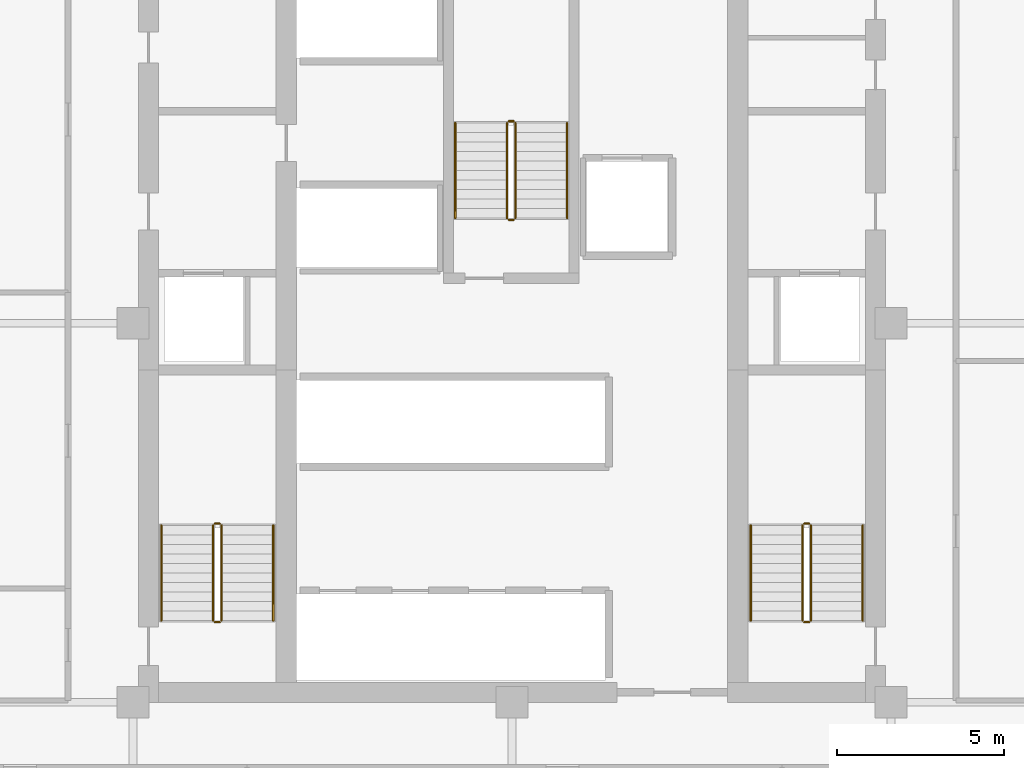
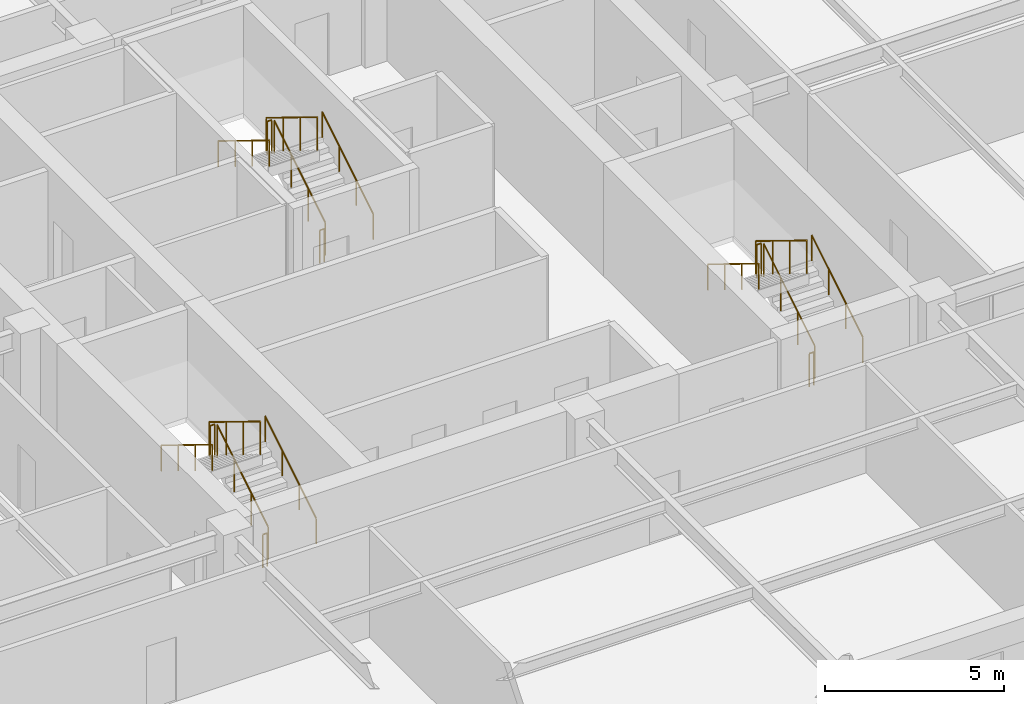
# One storey, part 10 of 11: 18 railings.
"""IFC4 building model written with IfcOpenShell, lengths in metres."""

import ifcopenshell
import ifcopenshell.guid

model = None  # the IFC model being written
_history = None  # IfcOwnerHistory: only IFC2X3 demands one
_inside = {}  # id of a spatial element -> (the spatial element, [elements in it])
_under = {}  # id of a project, library or spatial element -> (it, [spatial elements below it])
_declared = {}  # id of a project -> (the project, [libraries it declares])
_typed = {}  # id of a type object -> (the type object, [elements of that type])
_made_of = {}  # id of a material, layer set ... -> (it, [elements and type objects made of it])


def new_model(schema):
    """Start an empty IFC model of exactly this schema.

    Asked for "IFC4X3", IfcOpenShell would pick the latest addendum, in which some entities
    have other attributes; the version numbers below select the first issue.
    IFC2X3 requires an IfcOwnerHistory on every rooted entity: one is made here for all.
    """
    global model, _history
    if schema == "IFC4X3":
        model = ifcopenshell.file(schema_version=(4, 3, 0, 0))
    else:
        model = ifcopenshell.file(schema=schema)
    _inside.clear()
    _under.clear()
    _declared.clear()
    _typed.clear()
    _made_of.clear()
    _history = None
    if model.schema == "IFC2X3":
        org = make("IfcOrganization", Name="unknown")
        user = make(
            "IfcPersonAndOrganization",
            ThePerson=make("IfcPerson", FamilyName="unknown"),
            TheOrganization=org,
        )
        app = make(
            "IfcApplication",
            ApplicationDeveloper=org,
            Version="unknown",
            ApplicationFullName="unknown",
            ApplicationIdentifier="unknown",
        )
        _history = make(
            "IfcOwnerHistory",
            OwningUser=user,
            OwningApplication=app,
            ChangeAction="ADDED",
            CreationDate=0,
        )
    return model


def make(cls, **values):
    """One entity of the class cls with the attributes given. An attribute that is None is left unset."""
    return model.create_entity(
        cls, **{name: value for name, value in values.items() if value is not None}
    )


def rooted(cls, **values):
    """An entity with a GlobalId (a new one), such as an element, a storey or a relation."""
    return make(cls, GlobalId=ifcopenshell.guid.new(), OwnerHistory=_history, **values)


def si_unit(unit_type, name, prefix=None):
    """IfcSIUnit, for example si_unit("LENGTHUNIT", "METRE", prefix="MILLI")."""
    return make("IfcSIUnit", UnitType=unit_type, Prefix=prefix, Name=name)


def assignment(units):
    """IfcUnitAssignment: the units of a project."""
    return None if units is None else make("IfcUnitAssignment", Units=units)


def point(xyz):
    """IfcCartesianPoint."""
    return None if xyz is None else make("IfcCartesianPoint", Coordinates=xyz)


def direction(xyz):
    """IfcDirection."""
    return None if xyz is None else make("IfcDirection", DirectionRatios=xyz)


def frame(location, z_axis=None, x_axis=None):
    """IfcAxis2Placement3D, a coordinate frame: its origin and axes. An axis left out is left unset."""
    return make(
        "IfcAxis2Placement3D",
        Location=point(location),
        Axis=direction(z_axis),
        RefDirection=direction(x_axis),
    )


def frame_2d(location, x_axis=None):
    """IfcAxis2Placement2D, a coordinate frame in the plane: its origin and x axis."""
    return make(
        "IfcAxis2Placement2D", Location=point(location), RefDirection=direction(x_axis)
    )


def origin():
    """The frame at (0, 0, 0) with its axes left unset."""
    return frame((0.0, 0.0, 0.0))


def origin_2d():
    """The frame at (0, 0) in the plane with its x axis left unset."""
    return frame_2d((0.0, 0.0))


def place(relative_to, where):
    """IfcLocalPlacement: puts the frame where relative to a parent placement (None: the world)."""
    return make(
        "IfcLocalPlacement", PlacementRelTo=relative_to, RelativePlacement=where
    )


def context(
    kind, dimensions, precision=None, world=None, true_north=None, identifier=None
):
    """IfcGeometricRepresentationContext, for example the 3D "Model" context."""
    return make(
        "IfcGeometricRepresentationContext",
        ContextIdentifier=identifier,
        ContextType=kind,
        CoordinateSpaceDimension=dimensions,
        Precision=precision,
        WorldCoordinateSystem=world,
        TrueNorth=true_north,
    )


def subcontext(parent, identifier, kind, view, scale=None):
    """IfcGeometricRepresentationSubContext, for example "Body" below "Model"."""
    return make(
        "IfcGeometricRepresentationSubContext",
        ContextIdentifier=identifier,
        ContextType=kind,
        ParentContext=parent,
        TargetScale=scale,
        TargetView=view,
    )


def project(units=None, contexts=None):
    """IfcProject with its units and contexts."""
    return rooted(
        "IfcProject",
        Name="project",
        RepresentationContexts=contexts,
        UnitsInContext=assignment(units),
    )


def spatial(cls, under=None, at=None, **own):
    """A site, building, storey or space (cls), placed at a placement, below another one or the project."""
    s = rooted(cls, ObjectPlacement=at, **own)
    if under is not None:
        _under.setdefault(under.id(), (under, []))[1].append(s)
    return s


def profile(cls, at=None, kind="AREA", **sizes):
    """A parametric profile (cls). Its sizes go by their IFC names, for example OverallWidth=200.0."""
    return make(cls, ProfileType=kind, Position=at, **sizes)


def circle(**sizes):
    """IfcCircleProfileDef."""
    return profile("IfcCircleProfileDef", **sizes)


def extrude(swept, where, along, depth):
    """IfcExtrudedAreaSolid: the profile swept, set in the frame where, extruded along a direction by depth."""
    return make(
        "IfcExtrudedAreaSolid",
        SweptArea=swept,
        Position=where,
        ExtrudedDirection=direction(along),
        Depth=depth,
    )


def shape(context_of_items, identifier, shape_type, items):
    """IfcShapeRepresentation: the items that make up one representation, for example the "Body"."""
    return make(
        "IfcShapeRepresentation",
        ContextOfItems=context_of_items,
        RepresentationIdentifier=identifier,
        RepresentationType=shape_type,
        Items=items,
    )


def material(Name=None, Category=None):
    """IfcMaterial."""
    return make("IfcMaterial", Name=Name, Category=Category)


def made_of(thing, what):
    """Note that an element or type object is made of a material, layer set ...; save() writes the relation."""
    if what is not None:
        _made_of.setdefault(what.id(), (what, []))[1].append(thing)
    return thing


def type_object(cls, material=None, **own):
    """A type object (cls), such as IfcWallType, which elements share."""
    return made_of(rooted(cls, **own), material)


def element(
    cls,
    number,
    at=None,
    inside=None,
    cuts=None,
    type_object=None,
    material=None,
    context=None,
    identifier="Body",
    shape_type=None,
    held_by="IfcProductDefinitionShape",
    body=None,
    shapes=None,
    **own,
):
    """One element of the class cls, such as IfcWall. Its Tag is "e" and its number.

    at: its placement. inside: the storey or other place that contains it. cuts: it is an
    opening in that element (IfcRelVoidsElement). A single representation is given by context,
    identifier, shape_type and body (its items); several are given by shapes. held_by: the class
    of the entity that holds the representations. save() writes the other relations.
    """
    e = rooted(cls, Tag="e%d" % number, ObjectPlacement=at, **own)
    if body is not None:
        shapes = [shape(context, identifier, shape_type, body)]
    if shapes is not None:
        e.Representation = make(held_by, Representations=shapes)
    if inside is not None:
        _inside.setdefault(inside.id(), (inside, []))[1].append(e)
    if cuts is not None:
        rooted(
            "IfcRelVoidsElement", RelatingBuildingElement=cuts, RelatedOpeningElement=e
        )
    if type_object is not None:
        _typed.setdefault(type_object.id(), (type_object, []))[1].append(e)
    return made_of(e, material)


def aggregate(whole, parts):
    """IfcRelAggregates: a whole, such as a stair, and the parts it consists of."""
    return rooted("IfcRelAggregates", RelatingObject=whole, RelatedObjects=parts)


def save(model, path):
    """Write the relations noted so far, then the file.

    IfcRelAggregates (storeys below a building ...), IfcRelContainedInSpatialStructure (elements
    in a storey), IfcRelDefinesByType, IfcRelAssociatesMaterial and IfcRelDeclares: one each for
    every whole, place, type object, material and project.
    """
    for whole, parts in _under.values():
        aggregate(whole, parts)
    for where, things in _inside.values():
        rooted(
            "IfcRelContainedInSpatialStructure",
            RelatedElements=things,
            RelatingStructure=where,
        )
    for kind, things in _typed.values():
        rooted("IfcRelDefinesByType", RelatedObjects=things, RelatingType=kind)
    for what, things in _made_of.values():
        rooted("IfcRelAssociatesMaterial", RelatedObjects=things, RelatingMaterial=what)
    for by, libraries in _declared.values():
        rooted("IfcRelDeclares", RelatingContext=by, RelatedDefinitions=libraries)
    model.write(path)


model = new_model("IFC4")

# Units and contexts
model_context = context("Model", 3, precision=1e-05, world=origin(), true_north=direction((0.0, 1.0)))
body_context = subcontext(model_context, "Body", "Model", "MODEL_VIEW")
ifc_project = project(units=[si_unit("LENGTHUNIT", "METRE"), si_unit("AREAUNIT", "SQUARE_METRE"), si_unit("VOLUMEUNIT", "CUBIC_METRE"), si_unit("PLANEANGLEUNIT", "RADIAN"), si_unit("MASSUNIT", "GRAM", prefix="KILO")], contexts=[model_context])

# Site, building, storey
site_placement = place(None, origin())
site = spatial("IfcSite", under=ifc_project, at=site_placement, CompositionType="ELEMENT")
building_placement = place(site_placement, origin())
building = spatial("IfcBuilding", under=site, at=building_placement, Name="Nhamokura Convention Tower", CompositionType="ELEMENT")
storey_placement = place(building_placement, frame((0.0, 0.0, 133.699951171875)))
storey = spatial("IfcBuildingStorey", under=building, at=storey_placement, Name="L32", CompositionType="ELEMENT", Elevation=133.699951171875)

# Railings
ifc_material_1 = material(Name="Anodised bronze stainless steel", Category="steel")
railing_type_1 = type_object("IfcRailingType", Name="StairWallHandrail_900", PredefinedType="HANDRAIL", material=ifc_material_1)
railing_1_placement = place(storey_placement, frame((24.85009765625, 23.10009765625, 0.175048828125)))
element("IfcRailing", 1, at=railing_1_placement, inside=storey, type_object=railing_type_1, Name="L32 ST-01 stair handrail 1", PredefinedType="HANDRAIL", context=body_context, shape_type="SweptSolid", body=[
    extrude(circle(Radius=0.02392578125, at=origin_2d()), frame((0.0, 0.0, 0.8759765625), z_axis=(0.0, 0.852159232446, 0.523282564737), x_axis=(-1.0, 0.0, 0.0)), (0.0, 0.0, 1.0), 3.34423828125),
    extrude(circle(Radius=0.02099609375, at=origin_2d()), origin(), (0.0, 0.0, 1.0), 0.851806640625),
    extrude(circle(Radius=0.02099609375, at=origin_2d()), frame((0.0, 0.949951171875, 0.583251953125)), (0.0, 0.0, 1.0), 0.851806640625),
    extrude(circle(Radius=0.02099609375, at=origin_2d()), frame((0.0, 1.89990234375, 1.166748046875)), (0.0, 0.0, 1.0), 0.851806640625),
    extrude(circle(Radius=0.02099609375, at=origin_2d()), frame((0.0, 2.849853515625, 1.75)), (0.0, 0.0, 1.0), 0.851806640625),
])
railing_2_placement = place(storey_placement, frame((21.5, 25.949951171875, 2.10009765625)))
element("IfcRailing", 2, at=railing_2_placement, inside=storey, type_object=railing_type_1, Name="L32 ST-01 stair handrail 2", PredefinedType="HANDRAIL", context=body_context, shape_type="SweptSolid", body=[
    extrude(circle(Radius=0.02392578125, at=origin_2d()), frame((0.0, 0.0, 0.8759765625), z_axis=(0.0, -0.852159232446, 0.523282564737), x_axis=(1.0, 0.0, 0.0)), (0.0, 0.0, 1.0), 3.34423828125),
    extrude(circle(Radius=0.02099609375, at=origin_2d()), origin(), (0.0, 0.0, 1.0), 0.851806640625),
    extrude(circle(Radius=0.02099609375, at=origin_2d()), frame((0.0, -0.949951171875, 0.583251953125)), (0.0, 0.0, 1.0), 0.851806640625),
    extrude(circle(Radius=0.02099609375, at=origin_2d()), frame((0.0, -1.89990234375, 1.166748046875)), (0.0, 0.0, 1.0), 0.851806640625),
    extrude(circle(Radius=0.02099609375, at=origin_2d()), frame((0.0, -2.849853515625, 1.75)), (0.0, 0.0, 1.0), 0.851806640625),
])
railing_3_placement = place(storey_placement, frame((42.5, 23.10009765625, 0.175048828125)))
element("IfcRailing", 3, at=railing_3_placement, inside=storey, type_object=railing_type_1, Name="L32 ST-02 stair handrail 1", PredefinedType="HANDRAIL", context=body_context, shape_type="SweptSolid", body=[
    extrude(circle(Radius=0.02392578125, at=origin_2d()), frame((0.0, 0.0, 0.8759765625), z_axis=(0.0, 0.852159232446, 0.523282564737), x_axis=(-1.0, 0.0, 0.0)), (0.0, 0.0, 1.0), 3.34423828125),
    extrude(circle(Radius=0.02099609375, at=origin_2d()), origin(), (0.0, 0.0, 1.0), 0.851806640625),
    extrude(circle(Radius=0.02099609375, at=origin_2d()), frame((0.0, 0.949951171875, 0.583251953125)), (0.0, 0.0, 1.0), 0.851806640625),
    extrude(circle(Radius=0.02099609375, at=origin_2d()), frame((0.0, 1.89990234375, 1.166748046875)), (0.0, 0.0, 1.0), 0.851806640625),
    extrude(circle(Radius=0.02099609375, at=origin_2d()), frame((0.0, 2.849853515625, 1.75)), (0.0, 0.0, 1.0), 0.851806640625),
])
railing_4_placement = place(storey_placement, frame((39.14990234375, 25.949951171875, 2.10009765625)))
element("IfcRailing", 4, at=railing_4_placement, inside=storey, type_object=railing_type_1, Name="L32 ST-02 stair handrail 2", PredefinedType="HANDRAIL", context=body_context, shape_type="SweptSolid", body=[
    extrude(circle(Radius=0.02392578125, at=origin_2d()), frame((0.0, 0.0, 0.8759765625), z_axis=(0.0, -0.852159232446, 0.523282564737), x_axis=(1.0, 0.0, 0.0)), (0.0, 0.0, 1.0), 3.34423828125),
    extrude(circle(Radius=0.02099609375, at=origin_2d()), origin(), (0.0, 0.0, 1.0), 0.851806640625),
    extrude(circle(Radius=0.02099609375, at=origin_2d()), frame((0.0, -0.949951171875, 0.583251953125)), (0.0, 0.0, 1.0), 0.851806640625),
    extrude(circle(Radius=0.02099609375, at=origin_2d()), frame((0.0, -1.89990234375, 1.166748046875)), (0.0, 0.0, 1.0), 0.851806640625),
    extrude(circle(Radius=0.02099609375, at=origin_2d()), frame((0.0, -2.849853515625, 1.75)), (0.0, 0.0, 1.0), 0.851806640625),
])
railing_5_placement = place(storey_placement, frame((33.64990234375, 35.14990234375, 0.175048828125)))
element("IfcRailing", 5, at=railing_5_placement, inside=storey, type_object=railing_type_1, Name="L32 ST-03 stair handrail 1", PredefinedType="HANDRAIL", context=body_context, shape_type="SweptSolid", body=[
    extrude(circle(Radius=0.02392578125, at=origin_2d()), frame((0.0, 0.0, 0.8759765625), z_axis=(0.0, 0.852179220489, 0.52325001306), x_axis=(-1.0, 0.0, 0.0)), (0.0, 0.0, 1.0), 3.344482421875),
    extrude(circle(Radius=0.02099609375, at=origin_2d()), origin(), (0.0, 0.0, 1.0), 0.851806640625),
    extrude(circle(Radius=0.02099609375, at=origin_2d()), frame((0.0, 0.949951171875, 0.583251953125)), (0.0, 0.0, 1.0), 0.851806640625),
    extrude(circle(Radius=0.02099609375, at=origin_2d()), frame((0.0, 1.900146484375, 1.166748046875)), (0.0, 0.0, 1.0), 0.851806640625),
    extrude(circle(Radius=0.02099609375, at=origin_2d()), frame((0.0, 2.85009765625, 1.75)), (0.0, 0.0, 1.0), 0.851806640625),
])
railing_6_placement = place(storey_placement, frame((30.300048828125, 38.0, 2.10009765625)))
element("IfcRailing", 6, at=railing_6_placement, inside=storey, type_object=railing_type_1, Name="L32 ST-03 stair handrail 2", PredefinedType="HANDRAIL", context=body_context, shape_type="SweptSolid", body=[
    extrude(circle(Radius=0.02392578125, at=origin_2d()), frame((0.0, 0.0, 0.8759765625), z_axis=(0.0, -0.852179220489, 0.52325001306), x_axis=(1.0, 0.0, 0.0)), (0.0, 0.0, 1.0), 3.344482421875),
    extrude(circle(Radius=0.02099609375, at=origin_2d()), origin(), (0.0, 0.0, 1.0), 0.851806640625),
    extrude(circle(Radius=0.02099609375, at=origin_2d()), frame((0.0, -0.949951171875, 0.583251953125)), (0.0, 0.0, 1.0), 0.851806640625),
    extrude(circle(Radius=0.02099609375, at=origin_2d()), frame((0.0, -1.900146484375, 1.166748046875)), (0.0, 0.0, 1.0), 0.851806640625),
    extrude(circle(Radius=0.02099609375, at=origin_2d()), frame((0.0, -2.85009765625, 1.75)), (0.0, 0.0, 1.0), 0.851806640625),
])
ifc_material_2 = material(Name="Painted tubular steel", Category="steel")
railing_type_2 = type_object("IfcRailingType", Name="StairWellGuardrail_1150", PredefinedType="GUARDRAIL", material=ifc_material_2)
railing_7_placement = place(storey_placement, frame((23.300048828125, 23.10009765625, 0.175048828125)))
element("IfcRailing", 7, at=railing_7_placement, inside=storey, type_object=railing_type_2, Name="L32 ST-01 stair guard 1", PredefinedType="GUARDRAIL", context=body_context, shape_type="SweptSolid", body=[
    extrude(circle(Radius=0.02392578125, at=origin_2d()), frame((0.0, 0.0, 1.1259765625), z_axis=(0.0, 0.852159232446, 0.523282564737), x_axis=(-1.0, 0.0, 0.0)), (0.0, 0.0, 1.0), 3.34423828125),
    extrude(circle(Radius=0.02099609375, at=origin_2d()), origin(), (0.0, 0.0, 1.0), 1.101806640625),
    extrude(circle(Radius=0.02099609375, at=origin_2d()), frame((0.0, 0.949951171875, 0.583251953125)), (0.0, 0.0, 1.0), 1.101806640625),
    extrude(circle(Radius=0.02099609375, at=origin_2d()), frame((0.0, 1.89990234375, 1.166748046875)), (0.0, 0.0, 1.0), 1.101806640625),
    extrude(circle(Radius=0.02099609375, at=origin_2d()), frame((0.0, 2.849853515625, 1.75)), (0.0, 0.0, 1.0), 1.101806640625),
])
railing_8_placement = place(storey_placement, frame((23.25, 26.0, 1.925048828125)))
element("IfcRailing", 8, at=railing_8_placement, inside=storey, type_object=railing_type_2, Name="L32 ST-01 stair guard 2", PredefinedType="GUARDRAIL", context=body_context, shape_type="SweptSolid", body=[
    extrude(circle(Radius=0.02392578125, at=origin_2d()), frame((0.0, 0.0, 1.1259765625), z_axis=(-1.0, 0.0, 0.0), x_axis=(0.0, -1.0, 0.0)), (0.0, 0.0, 1.0), 0.14990234375),
    extrude(circle(Radius=0.02099609375, at=origin_2d()), origin(), (0.0, 0.0, 1.0), 1.101806640625),
    extrude(circle(Radius=0.02099609375, at=origin_2d()), frame((-0.14990234375, 0.0, 0.0)), (0.0, 0.0, 1.0), 1.101806640625),
])
railing_9_placement = place(storey_placement, frame((23.050048828125, 25.949951171875, 2.10009765625)))
element("IfcRailing", 9, at=railing_9_placement, inside=storey, type_object=railing_type_2, Name="L32 ST-01 stair guard 3", PredefinedType="GUARDRAIL", context=body_context, shape_type="SweptSolid", body=[
    extrude(circle(Radius=0.02392578125, at=origin_2d()), frame((0.0, 0.0, 1.1259765625), z_axis=(0.0, -0.852159232446, 0.523282564737), x_axis=(1.0, 0.0, 0.0)), (0.0, 0.0, 1.0), 3.34423828125),
    extrude(circle(Radius=0.02099609375, at=origin_2d()), origin(), (0.0, 0.0, 1.0), 1.101806640625),
    extrude(circle(Radius=0.02099609375, at=origin_2d()), frame((0.0, -0.949951171875, 0.583251953125)), (0.0, 0.0, 1.0), 1.101806640625),
    extrude(circle(Radius=0.02099609375, at=origin_2d()), frame((0.0, -1.89990234375, 1.166748046875)), (0.0, 0.0, 1.0), 1.101806640625),
    extrude(circle(Radius=0.02099609375, at=origin_2d()), frame((0.0, -2.849853515625, 1.75)), (0.0, 0.0, 1.0), 1.101806640625),
])
railing_10_placement = place(storey_placement, frame((23.25, 23.050048828125, 0.0)))
element("IfcRailing", 10, at=railing_10_placement, inside=storey, type_object=railing_type_2, Name="L32 ST-01 stair guard 4", PredefinedType="GUARDRAIL", context=body_context, shape_type="SweptSolid", body=[
    extrude(circle(Radius=0.02392578125, at=origin_2d()), frame((0.0, 0.0, 1.1259765625), z_axis=(-1.0, 0.0, 0.0), x_axis=(0.0, -1.0, 0.0)), (0.0, 0.0, 1.0), 0.14990234375),
    extrude(circle(Radius=0.02099609375, at=origin_2d()), origin(), (0.0, 0.0, 1.0), 1.101806640625),
    extrude(circle(Radius=0.02099609375, at=origin_2d()), frame((-0.14990234375, 0.0, 0.0)), (0.0, 0.0, 1.0), 1.101806640625),
])
railing_11_placement = place(storey_placement, frame((40.949951171875, 23.10009765625, 0.175048828125)))
element("IfcRailing", 11, at=railing_11_placement, inside=storey, type_object=railing_type_2, Name="L32 ST-02 stair guard 1", PredefinedType="GUARDRAIL", context=body_context, shape_type="SweptSolid", body=[
    extrude(circle(Radius=0.02392578125, at=origin_2d()), frame((0.0, 0.0, 1.1259765625), z_axis=(0.0, 0.852159232446, 0.523282564737), x_axis=(-1.0, 0.0, 0.0)), (0.0, 0.0, 1.0), 3.34423828125),
    extrude(circle(Radius=0.02099609375, at=origin_2d()), origin(), (0.0, 0.0, 1.0), 1.101806640625),
    extrude(circle(Radius=0.02099609375, at=origin_2d()), frame((0.0, 0.949951171875, 0.583251953125)), (0.0, 0.0, 1.0), 1.101806640625),
    extrude(circle(Radius=0.02099609375, at=origin_2d()), frame((0.0, 1.89990234375, 1.166748046875)), (0.0, 0.0, 1.0), 1.101806640625),
    extrude(circle(Radius=0.02099609375, at=origin_2d()), frame((0.0, 2.849853515625, 1.75)), (0.0, 0.0, 1.0), 1.101806640625),
])
railing_12_placement = place(storey_placement, frame((40.89990234375, 26.0, 1.925048828125)))
element("IfcRailing", 12, at=railing_12_placement, inside=storey, type_object=railing_type_2, Name="L32 ST-02 stair guard 2", PredefinedType="GUARDRAIL", context=body_context, shape_type="SweptSolid", body=[
    extrude(circle(Radius=0.02392578125, at=origin_2d()), frame((0.0, 0.0, 1.1259765625), z_axis=(-1.0, 0.0, 0.0), x_axis=(0.0, -1.0, 0.0)), (0.0, 0.0, 1.0), 0.14990234375),
    extrude(circle(Radius=0.02099609375, at=origin_2d()), origin(), (0.0, 0.0, 1.0), 1.101806640625),
    extrude(circle(Radius=0.02099609375, at=origin_2d()), frame((-0.14990234375, 0.0, 0.0)), (0.0, 0.0, 1.0), 1.101806640625),
])
railing_13_placement = place(storey_placement, frame((40.699951171875, 25.949951171875, 2.10009765625)))
element("IfcRailing", 13, at=railing_13_placement, inside=storey, type_object=railing_type_2, Name="L32 ST-02 stair guard 3", PredefinedType="GUARDRAIL", context=body_context, shape_type="SweptSolid", body=[
    extrude(circle(Radius=0.02392578125, at=origin_2d()), frame((0.0, 0.0, 1.1259765625), z_axis=(0.0, -0.852159232446, 0.523282564737), x_axis=(1.0, 0.0, 0.0)), (0.0, 0.0, 1.0), 3.34423828125),
    extrude(circle(Radius=0.02099609375, at=origin_2d()), origin(), (0.0, 0.0, 1.0), 1.101806640625),
    extrude(circle(Radius=0.02099609375, at=origin_2d()), frame((0.0, -0.949951171875, 0.583251953125)), (0.0, 0.0, 1.0), 1.101806640625),
    extrude(circle(Radius=0.02099609375, at=origin_2d()), frame((0.0, -1.89990234375, 1.166748046875)), (0.0, 0.0, 1.0), 1.101806640625),
    extrude(circle(Radius=0.02099609375, at=origin_2d()), frame((0.0, -2.849853515625, 1.75)), (0.0, 0.0, 1.0), 1.101806640625),
])
railing_14_placement = place(storey_placement, frame((40.89990234375, 23.050048828125, 0.0)))
element("IfcRailing", 14, at=railing_14_placement, inside=storey, type_object=railing_type_2, Name="L32 ST-02 stair guard 4", PredefinedType="GUARDRAIL", context=body_context, shape_type="SweptSolid", body=[
    extrude(circle(Radius=0.02392578125, at=origin_2d()), frame((0.0, 0.0, 1.1259765625), z_axis=(-1.0, 0.0, 0.0), x_axis=(0.0, -1.0, 0.0)), (0.0, 0.0, 1.0), 0.14990234375),
    extrude(circle(Radius=0.02099609375, at=origin_2d()), origin(), (0.0, 0.0, 1.0), 1.101806640625),
    extrude(circle(Radius=0.02099609375, at=origin_2d()), frame((-0.14990234375, 0.0, 0.0)), (0.0, 0.0, 1.0), 1.101806640625),
])
railing_15_placement = place(storey_placement, frame((32.10009765625, 35.14990234375, 0.175048828125)))
element("IfcRailing", 15, at=railing_15_placement, inside=storey, type_object=railing_type_2, Name="L32 ST-03 stair guard 1", PredefinedType="GUARDRAIL", context=body_context, shape_type="SweptSolid", body=[
    extrude(circle(Radius=0.02392578125, at=origin_2d()), frame((0.0, 0.0, 1.1259765625), z_axis=(0.0, 0.852179220489, 0.52325001306), x_axis=(-1.0, 0.0, 0.0)), (0.0, 0.0, 1.0), 3.344482421875),
    extrude(circle(Radius=0.02099609375, at=origin_2d()), origin(), (0.0, 0.0, 1.0), 1.101806640625),
    extrude(circle(Radius=0.02099609375, at=origin_2d()), frame((0.0, 0.949951171875, 0.583251953125)), (0.0, 0.0, 1.0), 1.101806640625),
    extrude(circle(Radius=0.02099609375, at=origin_2d()), frame((0.0, 1.900146484375, 1.166748046875)), (0.0, 0.0, 1.0), 1.101806640625),
    extrude(circle(Radius=0.02099609375, at=origin_2d()), frame((0.0, 2.85009765625, 1.75)), (0.0, 0.0, 1.0), 1.101806640625),
])
railing_16_placement = place(storey_placement, frame((32.050048828125, 38.050048828125, 1.925048828125)))
element("IfcRailing", 16, at=railing_16_placement, inside=storey, type_object=railing_type_2, Name="L32 ST-03 stair guard 2", PredefinedType="GUARDRAIL", context=body_context, shape_type="SweptSolid", body=[
    extrude(circle(Radius=0.02392578125, at=origin_2d()), frame((0.0, 0.0, 1.1259765625), z_axis=(-1.0, 0.0, 0.0), x_axis=(0.0, -1.0, 0.0)), (0.0, 0.0, 1.0), 0.150146484375),
    extrude(circle(Radius=0.02099609375, at=origin_2d()), origin(), (0.0, 0.0, 1.0), 1.101806640625),
    extrude(circle(Radius=0.02099609375, at=origin_2d()), frame((-0.150146484375, 0.0, 0.0)), (0.0, 0.0, 1.0), 1.101806640625),
])
railing_17_placement = place(storey_placement, frame((31.85009765625, 38.0, 2.10009765625)))
element("IfcRailing", 17, at=railing_17_placement, inside=storey, type_object=railing_type_2, Name="L32 ST-03 stair guard 3", PredefinedType="GUARDRAIL", context=body_context, shape_type="SweptSolid", body=[
    extrude(circle(Radius=0.02392578125, at=origin_2d()), frame((0.0, 0.0, 1.1259765625), z_axis=(0.0, -0.852179220489, 0.52325001306), x_axis=(1.0, 0.0, 0.0)), (0.0, 0.0, 1.0), 3.344482421875),
    extrude(circle(Radius=0.02099609375, at=origin_2d()), origin(), (0.0, 0.0, 1.0), 1.101806640625),
    extrude(circle(Radius=0.02099609375, at=origin_2d()), frame((0.0, -0.949951171875, 0.583251953125)), (0.0, 0.0, 1.0), 1.101806640625),
    extrude(circle(Radius=0.02099609375, at=origin_2d()), frame((0.0, -1.900146484375, 1.166748046875)), (0.0, 0.0, 1.0), 1.101806640625),
    extrude(circle(Radius=0.02099609375, at=origin_2d()), frame((0.0, -2.85009765625, 1.75)), (0.0, 0.0, 1.0), 1.101806640625),
])
railing_18_placement = place(storey_placement, frame((32.050048828125, 35.10009765625, 0.0)))
element("IfcRailing", 18, at=railing_18_placement, inside=storey, type_object=railing_type_2, Name="L32 ST-03 stair guard 4", PredefinedType="GUARDRAIL", context=body_context, shape_type="SweptSolid", body=[
    extrude(circle(Radius=0.02392578125, at=origin_2d()), frame((0.0, 0.0, 1.1259765625), z_axis=(-1.0, 0.0, 0.0), x_axis=(0.0, -1.0, 0.0)), (0.0, 0.0, 1.0), 0.150146484375),
    extrude(circle(Radius=0.02099609375, at=origin_2d()), origin(), (0.0, 0.0, 1.0), 1.101806640625),
    extrude(circle(Radius=0.02099609375, at=origin_2d()), frame((-0.150146484375, 0.0, 0.0)), (0.0, 0.0, 1.0), 1.101806640625),
])

save(model, "model.ifc")
